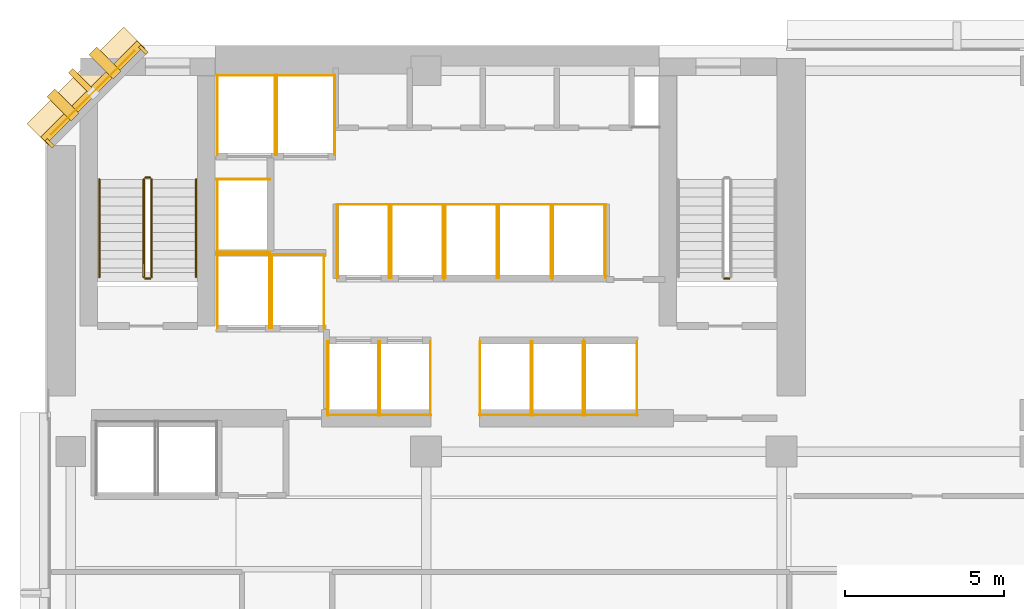
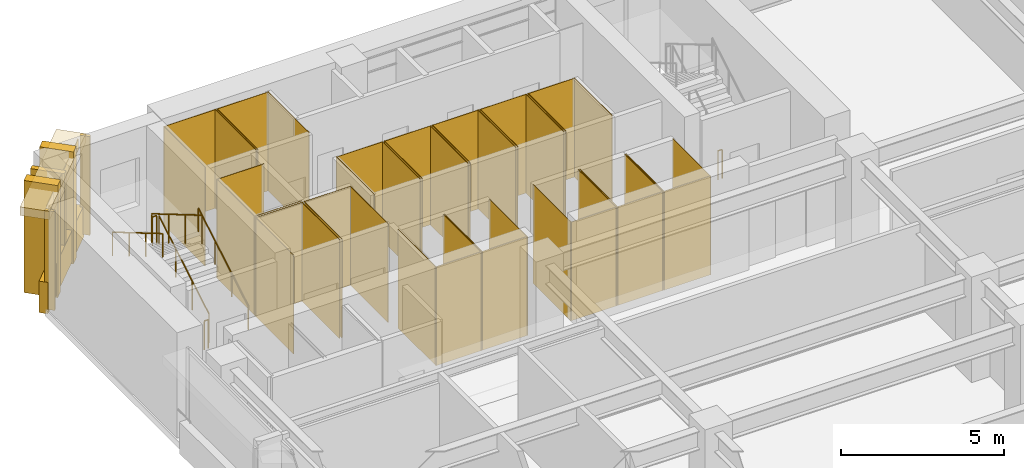
# One storey, part 12 of 14: 52 coverings, 7 railings, 1 shading device.
"""IFC4 building model written with IfcOpenShell, lengths in metres."""

from ifc_helpers import new_model, si_unit, direction, frame, origin, origin_2d, place, context, subcontext, project, spatial, polyline, rectangle, circle, outline, extrude, material, layer, layer_set, material_profile, profile_set, type_object, element, save


model = new_model("IFC4")

# Units and contexts
model_context = context("Model", 3, precision=1e-05, world=origin(), true_north=direction((0.0, 1.0)))
body_context = subcontext(model_context, "Body", "Model", "MODEL_VIEW")
ifc_project = project(units=[si_unit("LENGTHUNIT", "METRE"), si_unit("AREAUNIT", "SQUARE_METRE"), si_unit("VOLUMEUNIT", "CUBIC_METRE"), si_unit("PLANEANGLEUNIT", "RADIAN"), si_unit("MASSUNIT", "GRAM", prefix="KILO")], contexts=[model_context])

# Site, building, storey
site_placement = place(None, origin())
site = spatial("IfcSite", under=ifc_project, at=site_placement, CompositionType="ELEMENT")
building_placement = place(site_placement, origin())
building = spatial("IfcBuilding", under=site, at=building_placement, Name="Kefirva Bronze Tower", CompositionType="ELEMENT")
storey_placement = place(building_placement, frame((0.0, 0.0, 42.239990234375)))
storey = spatial("IfcBuildingStorey", under=building, at=storey_placement, Name="L09", CompositionType="ELEMENT", Elevation=42.239990234375)

# Coverings
ifc_material_1 = material(Name="Bronze anodised aluminium", Category="aluminium")
ifc_layer_1 = layer(ifc_material_1, 0.02001953125, Name="Bronze anodised aluminium")
ifc_layer_set_1 = layer_set([ifc_layer_1], Name="Bronze anodised aluminium")
covering_type_1 = type_object("IfcCoveringType", Name="Anodised Bronze Spandrel Cladding 20mm", PredefinedType="CLADDING", material=ifc_layer_set_1)
covering_1_placement = place(storey_placement, frame((1.492919921875, 44.507080078125, 3.2900390625), z_axis=(0.0, 0.0, 1.0), x_axis=(-0.707106781187, -0.707106781187, 0.0)))
element("IfcCovering", 1, at=covering_1_placement, inside=storey, type_object=covering_type_1, Name="L09 Bronze Spandrel Cladding 6", PredefinedType="CLADDING", context=body_context, shape_type="SweptSolid", body=[
    extrude(rectangle(XDim=3.719482421875, YDim=0.02001953125, at=origin_2d()), origin(), (0.0, 0.0, 1.0), 0.39990234375),
])
for number, where, z_axis, x_axis, name in (
    (2, (3.08837890625, 45.862060546875, 0.0), (0.0, 0.0, 1.0), (-0.707106781187, -0.707106781187, 0.0), "L09 Facade Joint Closure Panel 6S"),
    (3, (0.137939453125, 42.91162109375, 0.0), (0.0, 0.0, 1.0), (-0.707106781187, -0.707106781187, 0.0), "L09 Facade Joint Closure Panel 6E"),
):
    element("IfcCovering", number, at=place(storey_placement, frame(where, z_axis=z_axis, x_axis=x_axis)), inside=storey, type_object=covering_type_1, Name=name, PredefinedType="CLADDING", context=body_context, shape_type="SweptSolid", body=[
        extrude(rectangle(XDim=0.10009765625, YDim=0.320068359375, at=origin_2d()), origin(), (0.0, 0.0, 1.0), 3.7099609375),
    ])
covering_2_placement = place(storey_placement, frame((1.4716796875, 44.5283203125, -0.16015625), z_axis=(0.0, 0.0, 1.0), x_axis=(-0.707106781187, -0.707106781187, 0.0)))
element("IfcCovering", 4, at=covering_2_placement, inside=storey, type_object=covering_type_1, Name="L09 Streamline Horizontal Spandrel Band 9", PredefinedType="CLADDING", context=body_context, shape_type="SweptSolid", body=[
    extrude(rectangle(XDim=4.28271484375, YDim=0.280029296875, at=origin_2d()), origin(), (0.0, 0.0, 1.0), 1.179931640625),
])
covering_3_placement = place(storey_placement, origin())
element("IfcCovering", 5, at=covering_3_placement, inside=storey, type_object=covering_type_1, Name="L09 Lift FF1 Hoistway Liner N", PredefinedType="CLADDING", context=body_context, shape_type="SweptSolid", body=[
    extrude(outline(polyline([(5.39990234375, 39.389892578125), (7.080078125, 39.389892578125), (7.080078125, 39.409912109375), (5.39990234375, 39.409912109375), (5.39990234375, 39.389892578125)])), origin(), (0.0, 0.0, 1.0), 3.7099609375),
])
covering_4_placement = place(storey_placement, origin())
element("IfcCovering", 6, at=covering_4_placement, inside=storey, type_object=covering_type_1, Name="L09 Lift FF1 Hoistway Liner W", PredefinedType="CLADDING", context=body_context, shape_type="SweptSolid", body=[
    extrude(outline(polyline([(5.409912109375, 37.080078125), (5.429931640625, 37.080078125), (5.429931640625, 39.419921875), (5.409912109375, 39.419921875), (5.409912109375, 37.080078125)])), origin(), (0.0, 0.0, 1.0), 3.7099609375),
])
covering_5_placement = place(storey_placement, origin())
element("IfcCovering", 7, at=covering_5_placement, inside=storey, type_object=covering_type_1, Name="L09 Lift FF1 Hoistway Liner E", PredefinedType="CLADDING", context=body_context, shape_type="SweptSolid", body=[
    extrude(outline(polyline([(7.050048828125, 37.080078125), (7.070068359375, 37.080078125), (7.070068359375, 39.419921875), (7.050048828125, 39.419921875), (7.050048828125, 37.080078125)])), origin(), (0.0, 0.0, 1.0), 3.7099609375),
])
covering_6_placement = place(storey_placement, origin())
element("IfcCovering", 8, at=covering_6_placement, inside=storey, type_object=covering_type_1, Name="L09 Lift FF2 Hoistway Liner N", PredefinedType="CLADDING", context=body_context, shape_type="SweptSolid", body=[
    extrude(outline(polyline([(7.1201171875, 39.389892578125), (8.800048828125, 39.389892578125), (8.800048828125, 39.409912109375), (7.1201171875, 39.409912109375), (7.1201171875, 39.389892578125)])), origin(), (0.0, 0.0, 1.0), 3.7099609375),
])
covering_7_placement = place(storey_placement, origin())
element("IfcCovering", 9, at=covering_7_placement, inside=storey, type_object=covering_type_1, Name="L09 Lift FF2 Hoistway Liner W", PredefinedType="CLADDING", context=body_context, shape_type="SweptSolid", body=[
    extrude(outline(polyline([(7.1298828125, 37.080078125), (7.14990234375, 37.080078125), (7.14990234375, 39.419921875), (7.1298828125, 39.419921875), (7.1298828125, 37.080078125)])), origin(), (0.0, 0.0, 1.0), 3.7099609375),
])
covering_8_placement = place(storey_placement, origin())
element("IfcCovering", 10, at=covering_8_placement, inside=storey, type_object=covering_type_1, Name="L09 Lift FF2 Hoistway Liner E", PredefinedType="CLADDING", context=body_context, shape_type="SweptSolid", body=[
    extrude(outline(polyline([(8.77001953125, 37.080078125), (8.7900390625, 37.080078125), (8.7900390625, 39.419921875), (8.77001953125, 39.419921875), (8.77001953125, 37.080078125)])), origin(), (0.0, 0.0, 1.0), 3.7099609375),
])
covering_9_placement = place(storey_placement, origin())
element("IfcCovering", 11, at=covering_9_placement, inside=storey, type_object=covering_type_1, Name="L09 Lift SV1 Hoistway Liner N", PredefinedType="CLADDING", context=body_context, shape_type="SweptSolid", body=[
    extrude(outline(polyline([(5.39990234375, 45.0400390625), (7.260009765625, 45.0400390625), (7.260009765625, 45.06005859375), (5.39990234375, 45.06005859375), (5.39990234375, 45.0400390625)])), origin(), (0.0, 0.0, 1.0), 3.7099609375),
])
covering_10_placement = place(storey_placement, origin())
element("IfcCovering", 12, at=covering_10_placement, inside=storey, type_object=covering_type_1, Name="L09 Lift SV1 Hoistway Liner W", PredefinedType="CLADDING", context=body_context, shape_type="SweptSolid", body=[
    extrude(outline(polyline([(5.409912109375, 42.530029296875), (5.429931640625, 42.530029296875), (5.429931640625, 45.070068359375), (5.409912109375, 45.070068359375), (5.409912109375, 42.530029296875)])), origin(), (0.0, 0.0, 1.0), 3.7099609375),
])
covering_11_placement = place(storey_placement, origin())
element("IfcCovering", 13, at=covering_11_placement, inside=storey, type_object=covering_type_1, Name="L09 Lift SV1 Hoistway Liner E", PredefinedType="CLADDING", context=body_context, shape_type="SweptSolid", body=[
    extrude(outline(polyline([(7.22998046875, 42.530029296875), (7.25, 42.530029296875), (7.25, 45.070068359375), (7.22998046875, 45.070068359375), (7.22998046875, 42.530029296875)])), origin(), (0.0, 0.0, 1.0), 3.7099609375),
])
covering_12_placement = place(storey_placement, origin())
element("IfcCovering", 14, at=covering_12_placement, inside=storey, type_object=covering_type_1, Name="L09 Lift SV2 Hoistway Liner N", PredefinedType="CLADDING", context=body_context, shape_type="SweptSolid", body=[
    extrude(outline(polyline([(7.280029296875, 45.0400390625), (9.139892578125, 45.0400390625), (9.139892578125, 45.06005859375), (7.280029296875, 45.06005859375), (7.280029296875, 45.0400390625)])), origin(), (0.0, 0.0, 1.0), 3.7099609375),
])
covering_13_placement = place(storey_placement, origin())
element("IfcCovering", 15, at=covering_13_placement, inside=storey, type_object=covering_type_1, Name="L09 Lift SV2 Hoistway Liner W", PredefinedType="CLADDING", context=body_context, shape_type="SweptSolid", body=[
    extrude(outline(polyline([(7.2900390625, 42.530029296875), (7.31005859375, 42.530029296875), (7.31005859375, 45.070068359375), (7.2900390625, 45.070068359375), (7.2900390625, 42.530029296875)])), origin(), (0.0, 0.0, 1.0), 3.7099609375),
])
covering_14_placement = place(storey_placement, origin())
element("IfcCovering", 16, at=covering_14_placement, inside=storey, type_object=covering_type_1, Name="L09 Lift SV2 Hoistway Liner E", PredefinedType="CLADDING", context=body_context, shape_type="SweptSolid", body=[
    extrude(outline(polyline([(9.110107421875, 42.530029296875), (9.1298828125, 42.530029296875), (9.1298828125, 45.070068359375), (9.110107421875, 45.070068359375), (9.110107421875, 42.530029296875)])), origin(), (0.0, 0.0, 1.0), 3.7099609375),
])
covering_15_placement = place(storey_placement, origin())
element("IfcCovering", 17, at=covering_15_placement, inside=storey, type_object=covering_type_1, Name="L09 Lift LP1 Hoistway Liner S", PredefinedType="CLADDING", context=body_context, shape_type="SweptSolid", body=[
    extrude(outline(polyline([(8.8798828125, 34.340087890625), (10.52001953125, 34.340087890625), (10.52001953125, 34.360107421875), (8.8798828125, 34.360107421875), (8.8798828125, 34.340087890625)])), origin(), (0.0, 0.0, 1.0), 3.7099609375),
])
covering_16_placement = place(storey_placement, origin())
element("IfcCovering", 18, at=covering_16_placement, inside=storey, type_object=covering_type_1, Name="L09 Lift LP1 Hoistway Liner W", PredefinedType="CLADDING", context=body_context, shape_type="SweptSolid", body=[
    extrude(outline(polyline([(8.889892578125, 34.330078125), (8.909912109375, 34.330078125), (8.909912109375, 36.669921875), (8.889892578125, 36.669921875), (8.889892578125, 34.330078125)])), origin(), (0.0, 0.0, 1.0), 3.7099609375),
])
covering_17_placement = place(storey_placement, origin())
element("IfcCovering", 19, at=covering_17_placement, inside=storey, type_object=covering_type_1, Name="L09 Lift LP1 Hoistway Liner E", PredefinedType="CLADDING", context=body_context, shape_type="SweptSolid", body=[
    extrude(outline(polyline([(10.489990234375, 34.330078125), (10.510009765625, 34.330078125), (10.510009765625, 36.669921875), (10.489990234375, 36.669921875), (10.489990234375, 34.330078125)])), origin(), (0.0, 0.0, 1.0), 3.7099609375),
])
covering_18_placement = place(storey_placement, origin())
element("IfcCovering", 20, at=covering_18_placement, inside=storey, type_object=covering_type_1, Name="L09 Lift LP2 Hoistway Liner S", PredefinedType="CLADDING", context=body_context, shape_type="SweptSolid", body=[
    extrude(outline(polyline([(10.52001953125, 34.340087890625), (12.159912109375, 34.340087890625), (12.159912109375, 34.360107421875), (10.52001953125, 34.360107421875), (10.52001953125, 34.340087890625)])), origin(), (0.0, 0.0, 1.0), 3.7099609375),
])
covering_19_placement = place(storey_placement, origin())
element("IfcCovering", 21, at=covering_19_placement, inside=storey, type_object=covering_type_1, Name="L09 Lift LP2 Hoistway Liner W", PredefinedType="CLADDING", context=body_context, shape_type="SweptSolid", body=[
    extrude(outline(polyline([(10.530029296875, 34.330078125), (10.550048828125, 34.330078125), (10.550048828125, 36.669921875), (10.530029296875, 36.669921875), (10.530029296875, 34.330078125)])), origin(), (0.0, 0.0, 1.0), 3.7099609375),
])
covering_20_placement = place(storey_placement, origin())
element("IfcCovering", 22, at=covering_20_placement, inside=storey, type_object=covering_type_1, Name="L09 Lift LP2 Hoistway Liner E", PredefinedType="CLADDING", context=body_context, shape_type="SweptSolid", body=[
    extrude(outline(polyline([(12.1298828125, 34.330078125), (12.14990234375, 34.330078125), (12.14990234375, 36.669921875), (12.1298828125, 36.669921875), (12.1298828125, 34.330078125)])), origin(), (0.0, 0.0, 1.0), 3.7099609375),
])
covering_21_placement = place(storey_placement, origin())
element("IfcCovering", 23, at=covering_21_placement, inside=storey, type_object=covering_type_1, Name="L09 Lift LP3 Hoistway Liner N", PredefinedType="CLADDING", context=body_context, shape_type="SweptSolid", body=[
    extrude(outline(polyline([(9.179931640625, 40.969970703125), (10.85009765625, 40.969970703125), (10.85009765625, 40.989990234375), (9.179931640625, 40.989990234375), (9.179931640625, 40.969970703125)])), origin(), (0.0, 0.0, 1.0), 3.7099609375),
])
covering_22_placement = place(storey_placement, origin())
element("IfcCovering", 24, at=covering_22_placement, inside=storey, type_object=covering_type_1, Name="L09 Lift LP3 Hoistway Liner W", PredefinedType="CLADDING", context=body_context, shape_type="SweptSolid", body=[
    extrude(outline(polyline([(9.18994140625, 38.659912109375), (9.2099609375, 38.659912109375), (9.2099609375, 41.0), (9.18994140625, 41.0), (9.18994140625, 38.659912109375)])), origin(), (0.0, 0.0, 1.0), 3.7099609375),
])
covering_23_placement = place(storey_placement, origin())
element("IfcCovering", 25, at=covering_23_placement, inside=storey, type_object=covering_type_1, Name="L09 Lift LP3 Hoistway Liner E", PredefinedType="CLADDING", context=body_context, shape_type="SweptSolid", body=[
    extrude(outline(polyline([(10.820068359375, 38.659912109375), (10.840087890625, 38.659912109375), (10.840087890625, 41.0), (10.820068359375, 41.0), (10.820068359375, 38.659912109375)])), origin(), (0.0, 0.0, 1.0), 3.7099609375),
])
covering_24_placement = place(storey_placement, origin())
element("IfcCovering", 26, at=covering_24_placement, inside=storey, type_object=covering_type_1, Name="L09 Lift LP4 Hoistway Liner N", PredefinedType="CLADDING", context=body_context, shape_type="SweptSolid", body=[
    extrude(outline(polyline([(10.8798828125, 40.969970703125), (12.550048828125, 40.969970703125), (12.550048828125, 40.989990234375), (10.8798828125, 40.989990234375), (10.8798828125, 40.969970703125)])), origin(), (0.0, 0.0, 1.0), 3.7099609375),
])
covering_25_placement = place(storey_placement, origin())
element("IfcCovering", 27, at=covering_25_placement, inside=storey, type_object=covering_type_1, Name="L09 Lift LP4 Hoistway Liner W", PredefinedType="CLADDING", context=body_context, shape_type="SweptSolid", body=[
    extrude(outline(polyline([(10.889892578125, 38.659912109375), (10.909912109375, 38.659912109375), (10.909912109375, 41.0), (10.889892578125, 41.0), (10.889892578125, 38.659912109375)])), origin(), (0.0, 0.0, 1.0), 3.7099609375),
])
covering_26_placement = place(storey_placement, origin())
element("IfcCovering", 28, at=covering_26_placement, inside=storey, type_object=covering_type_1, Name="L09 Lift LP4 Hoistway Liner E", PredefinedType="CLADDING", context=body_context, shape_type="SweptSolid", body=[
    extrude(outline(polyline([(12.52001953125, 38.659912109375), (12.5400390625, 38.659912109375), (12.5400390625, 41.0), (12.52001953125, 41.0), (12.52001953125, 38.659912109375)])), origin(), (0.0, 0.0, 1.0), 3.7099609375),
])
covering_27_placement = place(storey_placement, origin())
element("IfcCovering", 29, at=covering_27_placement, inside=storey, type_object=covering_type_1, Name="L09 Lift MP1 Hoistway Liner S", PredefinedType="CLADDING", context=body_context, shape_type="SweptSolid", body=[
    extrude(outline(polyline([(13.679931640625, 34.340087890625), (15.320068359375, 34.340087890625), (15.320068359375, 34.360107421875), (13.679931640625, 34.360107421875), (13.679931640625, 34.340087890625)])), origin(), (0.0, 0.0, 1.0), 3.7099609375),
])
covering_28_placement = place(storey_placement, origin())
element("IfcCovering", 30, at=covering_28_placement, inside=storey, type_object=covering_type_1, Name="L09 Lift MP1 Hoistway Liner W", PredefinedType="CLADDING", context=body_context, shape_type="SweptSolid", body=[
    extrude(outline(polyline([(13.68994140625, 34.330078125), (13.7099609375, 34.330078125), (13.7099609375, 36.669921875), (13.68994140625, 36.669921875), (13.68994140625, 34.330078125)])), origin(), (0.0, 0.0, 1.0), 3.7099609375),
])
covering_29_placement = place(storey_placement, origin())
element("IfcCovering", 31, at=covering_29_placement, inside=storey, type_object=covering_type_1, Name="L09 Lift MP1 Hoistway Liner E", PredefinedType="CLADDING", context=body_context, shape_type="SweptSolid", body=[
    extrude(outline(polyline([(15.2900390625, 34.330078125), (15.31005859375, 34.330078125), (15.31005859375, 36.669921875), (15.2900390625, 36.669921875), (15.2900390625, 34.330078125)])), origin(), (0.0, 0.0, 1.0), 3.7099609375),
])
covering_30_placement = place(storey_placement, origin())
element("IfcCovering", 32, at=covering_30_placement, inside=storey, type_object=covering_type_1, Name="L09 Lift MP2 Hoistway Liner S", PredefinedType="CLADDING", context=body_context, shape_type="SweptSolid", body=[
    extrude(outline(polyline([(15.330078125, 34.340087890625), (16.969970703125, 34.340087890625), (16.969970703125, 34.360107421875), (15.330078125, 34.360107421875), (15.330078125, 34.340087890625)])), origin(), (0.0, 0.0, 1.0), 3.7099609375),
])
covering_31_placement = place(storey_placement, origin())
element("IfcCovering", 33, at=covering_31_placement, inside=storey, type_object=covering_type_1, Name="L09 Lift MP2 Hoistway Liner W", PredefinedType="CLADDING", context=body_context, shape_type="SweptSolid", body=[
    extrude(outline(polyline([(15.340087890625, 34.330078125), (15.360107421875, 34.330078125), (15.360107421875, 36.669921875), (15.340087890625, 36.669921875), (15.340087890625, 34.330078125)])), origin(), (0.0, 0.0, 1.0), 3.7099609375),
])
covering_32_placement = place(storey_placement, origin())
element("IfcCovering", 34, at=covering_32_placement, inside=storey, type_object=covering_type_1, Name="L09 Lift MP2 Hoistway Liner E", PredefinedType="CLADDING", context=body_context, shape_type="SweptSolid", body=[
    extrude(outline(polyline([(16.93994140625, 34.330078125), (16.9599609375, 34.330078125), (16.9599609375, 36.669921875), (16.93994140625, 36.669921875), (16.93994140625, 34.330078125)])), origin(), (0.0, 0.0, 1.0), 3.7099609375),
])
covering_33_placement = place(storey_placement, origin())
element("IfcCovering", 35, at=covering_33_placement, inside=storey, type_object=covering_type_1, Name="L09 Lift MP3 Hoistway Liner N", PredefinedType="CLADDING", context=body_context, shape_type="SweptSolid", body=[
    extrude(outline(polyline([(12.580078125, 40.969970703125), (14.25, 40.969970703125), (14.25, 40.989990234375), (12.580078125, 40.989990234375), (12.580078125, 40.969970703125)])), origin(), (0.0, 0.0, 1.0), 3.7099609375),
])
covering_34_placement = place(storey_placement, origin())
element("IfcCovering", 36, at=covering_34_placement, inside=storey, type_object=covering_type_1, Name="L09 Lift MP3 Hoistway Liner W", PredefinedType="CLADDING", context=body_context, shape_type="SweptSolid", body=[
    extrude(outline(polyline([(12.590087890625, 38.659912109375), (12.610107421875, 38.659912109375), (12.610107421875, 41.0), (12.590087890625, 41.0), (12.590087890625, 38.659912109375)])), origin(), (0.0, 0.0, 1.0), 3.7099609375),
])
covering_35_placement = place(storey_placement, origin())
element("IfcCovering", 37, at=covering_35_placement, inside=storey, type_object=covering_type_1, Name="L09 Lift MP3 Hoistway Liner E", PredefinedType="CLADDING", context=body_context, shape_type="SweptSolid", body=[
    extrude(outline(polyline([(14.219970703125, 38.659912109375), (14.239990234375, 38.659912109375), (14.239990234375, 41.0), (14.219970703125, 41.0), (14.219970703125, 38.659912109375)])), origin(), (0.0, 0.0, 1.0), 3.7099609375),
])
covering_36_placement = place(storey_placement, origin())
element("IfcCovering", 38, at=covering_36_placement, inside=storey, type_object=covering_type_1, Name="L09 Lift MP4 Hoistway Liner N", PredefinedType="CLADDING", context=body_context, shape_type="SweptSolid", body=[
    extrude(outline(polyline([(14.280029296875, 40.969970703125), (15.949951171875, 40.969970703125), (15.949951171875, 40.989990234375), (14.280029296875, 40.989990234375), (14.280029296875, 40.969970703125)])), origin(), (0.0, 0.0, 1.0), 3.7099609375),
])
covering_37_placement = place(storey_placement, origin())
element("IfcCovering", 39, at=covering_37_placement, inside=storey, type_object=covering_type_1, Name="L09 Lift MP4 Hoistway Liner W", PredefinedType="CLADDING", context=body_context, shape_type="SweptSolid", body=[
    extrude(outline(polyline([(14.2900390625, 38.659912109375), (14.31005859375, 38.659912109375), (14.31005859375, 41.0), (14.2900390625, 41.0), (14.2900390625, 38.659912109375)])), origin(), (0.0, 0.0, 1.0), 3.7099609375),
])
covering_38_placement = place(storey_placement, origin())
element("IfcCovering", 40, at=covering_38_placement, inside=storey, type_object=covering_type_1, Name="L09 Lift MP4 Hoistway Liner E", PredefinedType="CLADDING", context=body_context, shape_type="SweptSolid", body=[
    extrude(outline(polyline([(15.919921875, 38.659912109375), (15.93994140625, 38.659912109375), (15.93994140625, 41.0), (15.919921875, 41.0), (15.919921875, 38.659912109375)])), origin(), (0.0, 0.0, 1.0), 3.7099609375),
])
covering_39_placement = place(storey_placement, origin())
element("IfcCovering", 41, at=covering_39_placement, inside=storey, type_object=covering_type_1, Name="L09 Lift HP1 Hoistway Liner S", PredefinedType="CLADDING", context=body_context, shape_type="SweptSolid", body=[
    extrude(outline(polyline([(16.97998046875, 34.340087890625), (18.669921875, 34.340087890625), (18.669921875, 34.360107421875), (16.97998046875, 34.360107421875), (16.97998046875, 34.340087890625)])), origin(), (0.0, 0.0, 1.0), 3.7099609375),
])
covering_40_placement = place(storey_placement, origin())
element("IfcCovering", 42, at=covering_40_placement, inside=storey, type_object=covering_type_1, Name="L09 Lift HP1 Hoistway Liner W", PredefinedType="CLADDING", context=body_context, shape_type="SweptSolid", body=[
    extrude(outline(polyline([(16.989990234375, 34.330078125), (17.010009765625, 34.330078125), (17.010009765625, 36.669921875), (16.989990234375, 36.669921875), (16.989990234375, 34.330078125)])), origin(), (0.0, 0.0, 1.0), 3.7099609375),
])
covering_41_placement = place(storey_placement, origin())
element("IfcCovering", 43, at=covering_41_placement, inside=storey, type_object=covering_type_1, Name="L09 Lift HP1 Hoistway Liner E", PredefinedType="CLADDING", context=body_context, shape_type="SweptSolid", body=[
    extrude(outline(polyline([(18.639892578125, 34.330078125), (18.659912109375, 34.330078125), (18.659912109375, 36.669921875), (18.639892578125, 36.669921875), (18.639892578125, 34.330078125)])), origin(), (0.0, 0.0, 1.0), 3.7099609375),
])
covering_42_placement = place(storey_placement, origin())
element("IfcCovering", 44, at=covering_42_placement, inside=storey, type_object=covering_type_1, Name="L09 Lift HP2 Hoistway Liner N", PredefinedType="CLADDING", context=body_context, shape_type="SweptSolid", body=[
    extrude(outline(polyline([(15.97998046875, 40.969970703125), (17.669921875, 40.969970703125), (17.669921875, 40.989990234375), (15.97998046875, 40.989990234375), (15.97998046875, 40.969970703125)])), origin(), (0.0, 0.0, 1.0), 3.7099609375),
])
covering_43_placement = place(storey_placement, origin())
element("IfcCovering", 45, at=covering_43_placement, inside=storey, type_object=covering_type_1, Name="L09 Lift HP2 Hoistway Liner W", PredefinedType="CLADDING", context=body_context, shape_type="SweptSolid", body=[
    extrude(outline(polyline([(15.989990234375, 38.659912109375), (16.010009765625, 38.659912109375), (16.010009765625, 41.0), (15.989990234375, 41.0), (15.989990234375, 38.659912109375)])), origin(), (0.0, 0.0, 1.0), 3.7099609375),
])
covering_44_placement = place(storey_placement, origin())
element("IfcCovering", 46, at=covering_44_placement, inside=storey, type_object=covering_type_1, Name="L09 Lift HP2 Hoistway Liner E", PredefinedType="CLADDING", context=body_context, shape_type="SweptSolid", body=[
    extrude(outline(polyline([(17.639892578125, 38.659912109375), (17.659912109375, 38.659912109375), (17.659912109375, 41.0), (17.639892578125, 41.0), (17.639892578125, 38.659912109375)])), origin(), (0.0, 0.0, 1.0), 3.7099609375),
])
covering_45_placement = place(storey_placement, origin())
element("IfcCovering", 47, at=covering_45_placement, inside=storey, type_object=covering_type_1, Name="L09 Lift HP3 Hoistway Liner N", PredefinedType="CLADDING", context=body_context, shape_type="SweptSolid", body=[
    extrude(outline(polyline([(5.39990234375, 41.77001953125), (7.080078125, 41.77001953125), (7.080078125, 41.7900390625), (5.39990234375, 41.7900390625), (5.39990234375, 41.77001953125)])), origin(), (0.0, 0.0, 1.0), 3.7099609375),
])
covering_46_placement = place(storey_placement, origin())
element("IfcCovering", 48, at=covering_46_placement, inside=storey, type_object=covering_type_1, Name="L09 Lift HP3 Hoistway Liner S", PredefinedType="CLADDING", context=body_context, shape_type="SweptSolid", body=[
    extrude(outline(polyline([(5.39990234375, 39.469970703125), (7.080078125, 39.469970703125), (7.080078125, 39.489990234375), (5.39990234375, 39.489990234375), (5.39990234375, 39.469970703125)])), origin(), (0.0, 0.0, 1.0), 3.7099609375),
])
covering_47_placement = place(storey_placement, origin())
element("IfcCovering", 49, at=covering_47_placement, inside=storey, type_object=covering_type_1, Name="L09 Lift HP3 Hoistway Liner W", PredefinedType="CLADDING", context=body_context, shape_type="SweptSolid", body=[
    extrude(outline(polyline([(5.409912109375, 39.4599609375), (5.429931640625, 39.4599609375), (5.429931640625, 41.800048828125), (5.409912109375, 41.800048828125), (5.409912109375, 39.4599609375)])), origin(), (0.0, 0.0, 1.0), 3.7099609375),
])

# Shading device
ifc_material_profile = material_profile(ifc_material_1, rectangle(XDim=0.179931640625, YDim=1.080078125, at=origin_2d()), Name="BRONZE BUTTRESS FIN 180x1080")
ifc_profile_set = profile_set([ifc_material_profile], Name="Bronze anodised aluminium")
shading_device_type = type_object("IfcShadingDeviceType", Name="Chamfered Corner Buttress Bronze Fin 1080mm", PredefinedType="USERDEFINED", material=ifc_profile_set)
shading_device_placement = place(storey_placement, frame((1.1748046875, 44.8251953125, -0.139892578125), z_axis=(0.0, 0.0, 1.0), x_axis=(-0.707106781187, -0.707106781187, 0.0)))
element("IfcShadingDevice", 50, at=shading_device_placement, inside=storey, type_object=shading_device_type, Name="L09 Chamfered Corner Buttress Fin 24", ObjectType="VERTICAL FIN", PredefinedType="USERDEFINED", context=body_context, shape_type="SweptSolid", body=[
    extrude(rectangle(XDim=0.179931640625, YDim=1.080078125, at=origin_2d()), origin(), (0.0, 0.0, 1.0), 3.849853515625),
])

# Railings
ifc_material_2 = material(Name="Stainless steel 316", Category="steel")
railing_type_1 = type_object("IfcRailingType", Name="Interior Stair Guardrail 1100mm", PredefinedType="GUARDRAIL", material=ifc_material_2)
railing_1_placement = place(storey_placement, frame((3.35009765625, 38.699951171875, 0.1650390625)))
element("IfcRailing", 51, at=railing_1_placement, inside=storey, type_object=railing_type_1, Name="L09 ST-1 stair guard 1", PredefinedType="GUARDRAIL", context=body_context, shape_type="SweptSolid", body=[
    extrude(circle(Radius=0.02392578125, at=origin_2d()), frame((0.0, 0.0, 1.076171875), z_axis=(0.0, 0.861551262678, 0.507670583921), x_axis=(-1.0, 0.0, 0.0)), (0.0, 0.0, 1.0), 3.574951171875),
    extrude(circle(Radius=0.02099609375, at=origin_2d()), origin(), (0.0, 0.0, 1.0), 1.052001953125),
    extrude(circle(Radius=0.02099609375, at=origin_2d()), frame((0.0, 1.026611328125, 0.60498046875)), (0.0, 0.0, 1.0), 1.052001953125),
    extrude(circle(Radius=0.02099609375, at=origin_2d()), frame((0.0, 2.053466796875, 1.2099609375)), (0.0, 0.0, 1.0), 1.052001953125),
    extrude(circle(Radius=0.02099609375, at=origin_2d()), frame((0.0, 3.080078125, 1.81494140625)), (0.0, 0.0, 1.0), 1.052001953125),
])
railing_2_placement = place(storey_placement, frame((3.300048828125, 41.830078125, 1.97998046875)))
element("IfcRailing", 52, at=railing_2_placement, inside=storey, type_object=railing_type_1, Name="L09 ST-1 stair guard 2", PredefinedType="GUARDRAIL", context=body_context, shape_type="SweptSolid", body=[
    extrude(circle(Radius=0.02392578125, at=origin_2d()), frame((0.0, 0.0, 1.076171875), z_axis=(-1.0, 0.0, 0.0), x_axis=(0.0, -1.0, 0.0)), (0.0, 0.0, 1.0), 0.150146484375),
    extrude(circle(Radius=0.02099609375, at=origin_2d()), origin(), (0.0, 0.0, 1.0), 1.052001953125),
    extrude(circle(Radius=0.02099609375, at=origin_2d()), frame((-0.150146484375, 0.0, 0.0)), (0.0, 0.0, 1.0), 1.052001953125),
])
railing_3_placement = place(storey_placement, frame((3.10009765625, 41.780029296875, 2.14501953125)))
element("IfcRailing", 53, at=railing_3_placement, inside=storey, type_object=railing_type_1, Name="L09 ST-1 stair guard 3", PredefinedType="GUARDRAIL", context=body_context, shape_type="SweptSolid", body=[
    extrude(circle(Radius=0.02392578125, at=origin_2d()), frame((0.0, 0.0, 1.076171875), z_axis=(0.0, -0.861551262678, 0.507670583921), x_axis=(1.0, 0.0, 0.0)), (0.0, 0.0, 1.0), 3.574951171875),
    extrude(circle(Radius=0.02099609375, at=origin_2d()), origin(), (0.0, 0.0, 1.0), 1.052001953125),
    extrude(circle(Radius=0.02099609375, at=origin_2d()), frame((0.0, -1.026611328125, 0.60498046875)), (0.0, 0.0, 1.0), 1.052001953125),
    extrude(circle(Radius=0.02099609375, at=origin_2d()), frame((0.0, -2.053466796875, 1.2099609375)), (0.0, 0.0, 1.0), 1.052001953125),
    extrude(circle(Radius=0.02099609375, at=origin_2d()), frame((0.0, -3.080078125, 1.81494140625)), (0.0, 0.0, 1.0), 1.052001953125),
])
for number, where, name in (
    (54, (3.300048828125, 38.64990234375, 0.0), "L09 ST-1 stair guard 4"),
    (55, (21.550048828125, 38.64990234375, 0.0), "L09 ST-2 stair guard 4"),
):
    element("IfcRailing", number, at=place(storey_placement, frame(where)), inside=storey, type_object=railing_type_1, Name=name, PredefinedType="GUARDRAIL", context=body_context, shape_type="SweptSolid", body=[
        extrude(circle(Radius=0.02392578125, at=origin_2d()), frame((0.0, 0.0, 1.076171875), z_axis=(-1.0, 0.0, 0.0), x_axis=(0.0, -1.0, 0.0)), (0.0, 0.0, 1.0), 0.150146484375),
        extrude(circle(Radius=0.02099609375, at=origin_2d()), origin(), (0.0, 0.0, 1.0), 1.052001953125),
        extrude(circle(Radius=0.02099609375, at=origin_2d()), frame((-0.150146484375, 0.0, 0.0)), (0.0, 0.0, 1.0), 1.052001953125),
    ])
railing_type_2 = type_object("IfcRailingType", Name="Stair Pitch Handrail 900mm", PredefinedType="HANDRAIL", material=ifc_material_2)
railing_4_placement = place(storey_placement, frame((4.75, 38.699951171875, 0.1650390625)))
element("IfcRailing", 56, at=railing_4_placement, inside=storey, type_object=railing_type_2, Name="L09 ST-1 stair handrail 1", PredefinedType="HANDRAIL", context=body_context, shape_type="SweptSolid", body=[
    extrude(circle(Radius=0.02392578125, at=origin_2d()), frame((0.0, 0.0, 0.8759765625), z_axis=(0.0, 0.861551262678, 0.507670583921), x_axis=(-1.0, 0.0, 0.0)), (0.0, 0.0, 1.0), 3.574951171875),
    extrude(circle(Radius=0.02099609375, at=origin_2d()), origin(), (0.0, 0.0, 1.0), 0.851806640625),
    extrude(circle(Radius=0.02099609375, at=origin_2d()), frame((0.0, 1.026611328125, 0.60498046875)), (0.0, 0.0, 1.0), 0.851806640625),
    extrude(circle(Radius=0.02099609375, at=origin_2d()), frame((0.0, 2.053466796875, 1.2099609375)), (0.0, 0.0, 1.0), 0.851806640625),
    extrude(circle(Radius=0.02099609375, at=origin_2d()), frame((0.0, 3.080078125, 1.81494140625)), (0.0, 0.0, 1.0), 0.851806640625),
])
railing_5_placement = place(storey_placement, frame((1.699951171875, 41.780029296875, 2.14501953125)))
element("IfcRailing", 57, at=railing_5_placement, inside=storey, type_object=railing_type_2, Name="L09 ST-1 stair handrail 2", PredefinedType="HANDRAIL", context=body_context, shape_type="SweptSolid", body=[
    extrude(circle(Radius=0.02392578125, at=origin_2d()), frame((0.0, 0.0, 0.8759765625), z_axis=(0.0, -0.861551262678, 0.507670583921), x_axis=(1.0, 0.0, 0.0)), (0.0, 0.0, 1.0), 3.574951171875),
    extrude(circle(Radius=0.02099609375, at=origin_2d()), origin(), (0.0, 0.0, 1.0), 0.851806640625),
    extrude(circle(Radius=0.02099609375, at=origin_2d()), frame((0.0, -1.026611328125, 0.60498046875)), (0.0, 0.0, 1.0), 0.851806640625),
    extrude(circle(Radius=0.02099609375, at=origin_2d()), frame((0.0, -2.053466796875, 1.2099609375)), (0.0, 0.0, 1.0), 0.851806640625),
    extrude(circle(Radius=0.02099609375, at=origin_2d()), frame((0.0, -3.080078125, 1.81494140625)), (0.0, 0.0, 1.0), 0.851806640625),
])

# Coverings
ifc_layer_2 = layer(ifc_material_1, 0.179931640625, Name="Bronze anodised aluminium")
ifc_layer_set_2 = layer_set([ifc_layer_2], Name="Bronze anodised aluminium")
covering_type_2 = type_object("IfcCoveringType", Name="Streamline Bronze Sunshade Eyebrow Cladding 180mm", PredefinedType="CLADDING", material=ifc_layer_set_2)
covering_48_placement = place(storey_placement, frame((1.28076171875, 44.71923828125, 3.39013671875), z_axis=(0.0, 0.0, 1.0), x_axis=(-0.707106781187, -0.707106781187, 0.0)))
element("IfcCovering", 58, at=covering_48_placement, inside=storey, type_object=covering_type_2, Name="L09 Streamline Bronze Sunshade Eyebrow 9", PredefinedType="CLADDING", context=body_context, shape_type="SweptSolid", body=[
    extrude(rectangle(XDim=4.322509765625, YDim=0.93994140625, at=origin_2d()), origin(), (0.0, 0.0, 1.0), 0.320068359375),
])
ifc_layer_3 = layer(ifc_material_1, 0.260009765625, Name="Bronze anodised aluminium")
ifc_layer_set_3 = layer_set([ifc_layer_3], Name="Bronze anodised aluminium")
covering_type_3 = type_object("IfcCoveringType", Name="Unbroken Bronze Buttress Fin Cladding 260mm", PredefinedType="CLADDING", material=ifc_layer_set_3)
for number, where, z_axis, x_axis, name in (
    (59, (1.877197265625, 45.44287109375, -0.25), (0.0, 0.0, 1.0), (-0.707106781187, -0.707106781187, 0.0), "L09 Chamfered Corner Buttress Fin Cladding 23"),
    (60, (0.55712890625, 44.122802734375, -0.25), (0.0, 0.0, 1.0), (-0.707106781187, -0.707106781187, 0.0), "L09 Chamfered Corner Buttress Fin Cladding 24"),
):
    element("IfcCovering", number, at=place(storey_placement, frame(where, z_axis=z_axis, x_axis=x_axis)), inside=storey, type_object=covering_type_3, Name=name, PredefinedType="CLADDING", context=body_context, shape_type="SweptSolid", body=[
        extrude(rectangle(XDim=0.340087890625, YDim=1.080078125, at=origin_2d()), origin(), (0.0, 0.0, 1.0), 4.2099609375),
    ])

save(model, "model.ifc")
